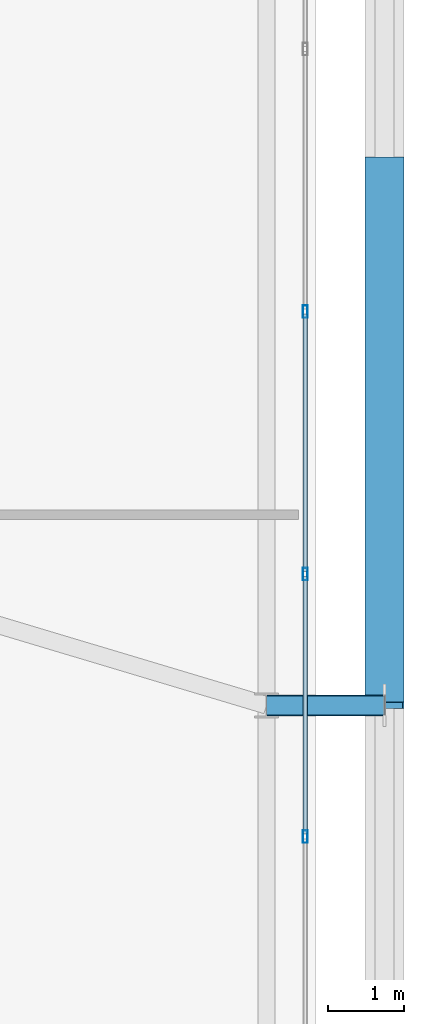
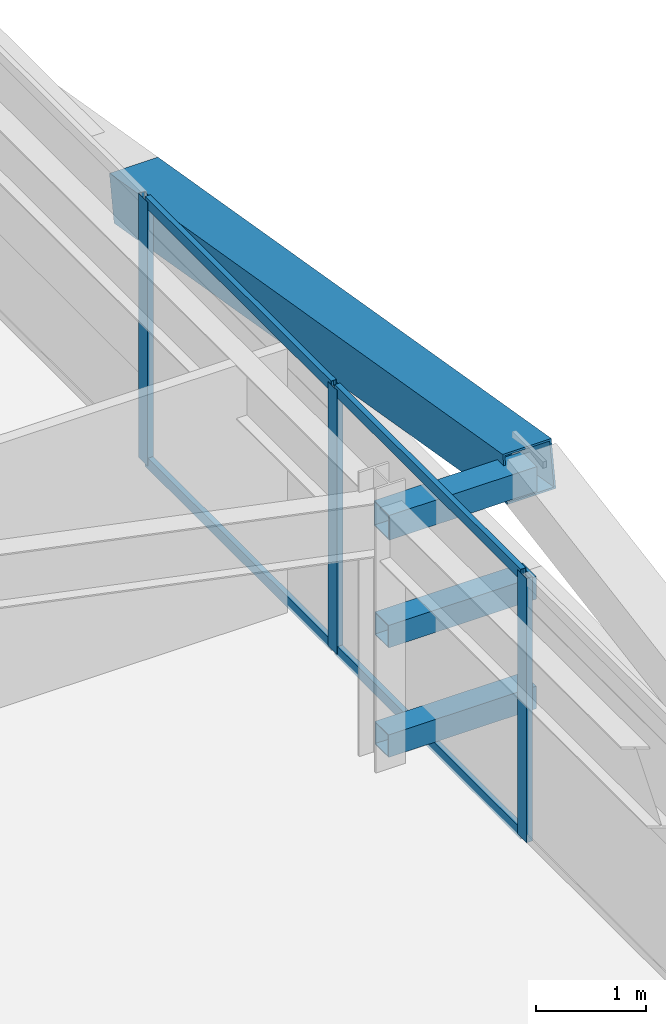
# One storey, part 30 of 58: 11 members, 1 element without a shape of its own.
"""IFC4 building model written with IfcOpenShell, lengths in metres."""

from ifc_helpers import new_model, si_unit, direction, frame, origin, origin_2d, place, context, subcontext, project, spatial, hollow_rectangle, extrude, source, transform, mapped, material, layer, layer_set, material_profile, profile_set, type_object, element, aggregate, save


model = new_model("IFC4")

# Units and contexts
model_context = context("Model", 3, precision=1e-05, world=origin(), true_north=direction((0.0, 1.0)))
body_context = subcontext(model_context, "Body", "Model", "MODEL_VIEW")
ifc_project = project(units=[si_unit("LENGTHUNIT", "METRE"), si_unit("AREAUNIT", "SQUARE_METRE"), si_unit("VOLUMEUNIT", "CUBIC_METRE"), si_unit("PLANEANGLEUNIT", "RADIAN"), si_unit("MASSUNIT", "GRAM", prefix="KILO")], contexts=[model_context])

# Site, building, storey
site_placement = place(None, origin())
site = spatial("IfcSite", under=ifc_project, at=site_placement, CompositionType="ELEMENT")
building_placement = place(site_placement, origin())
building = spatial("IfcBuilding", under=site, at=building_placement, Name="Taldren Reach Tower", CompositionType="ELEMENT")
storey_placement = place(building_placement, frame((0.0, 0.0, 35.699951171875)))
storey = spatial("IfcBuildingStorey", under=building, at=storey_placement, Name="L10", CompositionType="ELEMENT", Elevation=35.699951171875)

# Members
ifc_material_1 = material(Name="Steel Gr 450 (C450L0)", Category="steel")
ifc_material_profile_1 = material_profile(ifc_material_1, hollow_rectangle(XDim=0.27490234375, YDim=0.27490234375, WallThickness=0.00927734375, at=origin_2d()), Name="275x275x9.3SHS")
ifc_profile_set_1 = profile_set([ifc_material_profile_1], Name="Steel Gr 450 (C450L0)")
member_type_1 = type_object("IfcMemberType", Name="MB-TIE273", PredefinedType="STRUT", material=ifc_profile_set_1)
shared_shape_1 = source(origin(), body_context, "Body", "SweptSolid", [
    extrude(hollow_rectangle(XDim=0.27490234375, YDim=0.27490234375, WallThickness=0.00927734375, at=origin_2d()), origin(), (0.0, 0.0, 1.0), 1.5498046875),
])
member_1_placement = place(storey_placement, frame((64.35009765625, 20.0, 2.650146484375), z_axis=(1.0, 0.0, 0.0), x_axis=(0.0, 1.0, 0.0)))
element("IfcMember", 1, at=member_1_placement, inside=storey, type_object=member_type_1, Name="Exoskeleton diaphragm tie strut B1-E2 L10", PredefinedType="STRUT", context=body_context, shape_type="MappedRepresentation", body=[
    mapped(shared_shape_1, transform((0.0, 0.0, 0.0), scale=1.0)),
])
ifc_material_2 = material(Name="Steel Gr 350 (C350L0)", Category="steel")
ifc_material_profile_2 = material_profile(ifc_material_2, hollow_rectangle(XDim=0.25, YDim=0.25, WallThickness=0.010009765625, at=origin_2d()), Name="250x250x10.0SHS")
ifc_profile_set_2 = profile_set([ifc_material_profile_2], Name="Steel Gr 350 (C350L0)")
member_type_2 = type_object("IfcMemberType", Name="MB-POST250", PredefinedType="POST", material=ifc_profile_set_2)
shared_shape_2 = source(origin(), body_context, "Body", "SweptSolid", [
    extrude(hollow_rectangle(XDim=0.25, YDim=0.25, WallThickness=0.010009765625, at=origin_2d()), origin(), (0.0, 0.0, 1.0), 1.5498046875),
])
for number, where, z_axis, x_axis, name in (
    (2, (64.35009765625, 20.0, 0.219970703125), (1.0, 0.0, 0.0), (0.0, 1.0, 0.0), "Exoskeleton base diaphragm tie strut B1-E2 L10"),
    (3, (64.35009765625, 20.0, 1.43505859375), (1.0, 0.0, 0.0), (0.0, 1.0, 0.0), "Exoskeleton mid-tier diaphragm tie B1-E2 L10"),
):
    element("IfcMember", number, at=place(storey_placement, frame(where, z_axis=z_axis, x_axis=x_axis)), inside=storey, type_object=member_type_2, Name=name, PredefinedType="POST", context=body_context, shape_type="MappedRepresentation", body=[
        mapped(shared_shape_2, transform((0.0, 0.0, 0.0), scale=1.0)),
    ])
ifc_material_profile_3 = material_profile(ifc_material_1, hollow_rectangle(XDim=0.510009765625, YDim=0.510009765625, WallThickness=0.02001953125, at=origin_2d()), Name="510x510x20.0SHS")
ifc_profile_set_3 = profile_set([ifc_material_profile_3], Name="Steel Gr 450 (C450L0)")
member_type_3 = type_object("IfcMemberType", Name="MB-EXO508", PredefinedType="BRACE", material=ifc_profile_set_3)
shared_shape_3 = source(origin(), body_context, "Body", "SweptSolid", [
    extrude(hollow_rectangle(XDim=0.510009765625, YDim=0.510009765625, WallThickness=0.02001953125, at=origin_2d()), origin(), (0.0, 0.0, 1.0), 7.25244140625),
])
member_2_placement = place(storey_placement, frame((65.89990234375, 27.14990234375, 1.43505859375), z_axis=(0.0, -0.985864855729, 0.167542490848), x_axis=(1.0, 0.0, 0.0)))
element("IfcMember", 4, at=member_2_placement, inside=storey, type_object=member_type_3, Name="Exoskeleton Diagrid Brace B1-E2 L10", PredefinedType="BRACE", context=body_context, shape_type="MappedRepresentation", body=[
    mapped(shared_shape_3, transform((0.0, 0.0, 0.0), scale=1.0)),
])

# Curtain wall, members
ifc_material_3 = material(Name="Aluminium and Low-E Glass Unitised System", Category="aluminium")
ifc_layer = layer(ifc_material_3, 0.159912109375)
ifc_layer_set = layer_set([ifc_layer], Name="Aluminium and Low-E Glass Unitised System")
curtain_wall_type = type_object("IfcCurtainWallType", Name="CW-SYS-2", PredefinedType="NOTDEFINED", material=ifc_layer_set)
curtain_wall_placement = place(storey_placement, origin())
curtain_wall = element("IfcCurtainWall", 5, at=curtain_wall_placement, inside=storey, type_object=curtain_wall_type, Name="Unitised curtain wall CW-L10-E", PredefinedType="NOTDEFINED")
ifc_material_4 = material(Name="Anodised Aluminium 6063-T6", Category="aluminium")
ifc_material_profile_4 = material_profile(ifc_material_4, hollow_rectangle(XDim=0.06494140625, YDim=0.1650390625, WallThickness=0.00390625, at=origin_2d()), Name="ALU-165x65x4RHS")
ifc_profile_set_4 = profile_set([ifc_material_profile_4], Name="Anodised Aluminium 6063-T6")
member_type_4 = type_object("IfcMemberType", Name="CW-MUL-165", PredefinedType="MULLION", material=ifc_profile_set_4)
shared_shape_4 = source(origin(), body_context, "Body", "SweptSolid", [
    extrude(hollow_rectangle(XDim=0.06494140625, YDim=0.1650390625, WallThickness=0.00390625, at=origin_2d()), origin(), (0.0, 0.0, 1.0), 2.929931640625),
])
member_3_placement = place(storey_placement, frame((64.860107421875, 18.27783203125, 0.0), z_axis=(0.0, 0.0, 1.0), x_axis=(-1.0, 0.0, 0.0)))
member_3 = element("IfcMember", 6, at=member_3_placement, type_object=member_type_4, Name="CW-2 mullion 5", PredefinedType="MULLION", context=body_context, shape_type="MappedRepresentation", body=[
    mapped(shared_shape_4, transform((0.0, 0.0, 0.0), scale=1.0)),
])
member_4_placement = place(storey_placement, frame((64.860107421875, 21.72216796875, 0.0), z_axis=(0.0, 0.0, 1.0), x_axis=(-1.0, 0.0, 0.0)))
member_4 = element("IfcMember", 7, at=member_4_placement, type_object=member_type_4, Name="CW-2 mullion 6", PredefinedType="MULLION", context=body_context, shape_type="MappedRepresentation", body=[
    mapped(shared_shape_4, transform((0.0, 0.0, 0.0), scale=1.0)),
])
member_5_placement = place(storey_placement, frame((64.860107421875, 25.166748046875, 0.0), z_axis=(0.0, 0.0, 1.0), x_axis=(-1.0, 0.0, 0.0)))
member_5 = element("IfcMember", 8, at=member_5_placement, type_object=member_type_4, Name="CW-2 mullion 7", PredefinedType="MULLION", context=body_context, shape_type="MappedRepresentation", body=[
    mapped(shared_shape_4, transform((0.0, 0.0, 0.0), scale=1.0)),
])
ifc_material_profile_5 = material_profile(ifc_material_4, hollow_rectangle(XDim=0.054931640625, YDim=0.1201171875, WallThickness=0.0029296875, at=origin_2d()), Name="ALU-120x55x3RHS")
ifc_profile_set_5 = profile_set([ifc_material_profile_5], Name="Anodised Aluminium 6063-T6")
member_type_5 = type_object("IfcMemberType", Name="CW-TRN-135", PredefinedType="USERDEFINED", material=ifc_profile_set_5)
shared_shape_5 = source(origin(), body_context, "Body", "SweptSolid", [
    extrude(hollow_rectangle(XDim=0.054931640625, YDim=0.1201171875, WallThickness=0.0029296875, at=origin_2d()), origin(), (0.0, 0.0, 1.0), 3.37939453125),
])
member_6_placement = place(storey_placement, frame((64.860107421875, 18.310302734375, 0.027587890625), z_axis=(0.0, 1.0, 0.0), x_axis=(-1.0, 0.0, 0.0)))
member_6 = element("IfcMember", 9, at=member_6_placement, type_object=member_type_5, Name="CW-2 transom 5.1", ObjectType="TRANSOM", PredefinedType="USERDEFINED", context=body_context, shape_type="MappedRepresentation", body=[
    mapped(shared_shape_5, transform((0.0, 0.0, 0.0), scale=1.0)),
])
member_7_placement = place(storey_placement, frame((64.860107421875, 18.310302734375, 2.902587890625), z_axis=(0.0, 1.0, 0.0), x_axis=(-1.0, 0.0, 0.0)))
member_7 = element("IfcMember", 10, at=member_7_placement, type_object=member_type_5, Name="CW-2 transom 5.2", ObjectType="TRANSOM", PredefinedType="USERDEFINED", context=body_context, shape_type="MappedRepresentation", body=[
    mapped(shared_shape_5, transform((0.0, 0.0, 0.0), scale=1.0)),
])
shared_shape_6 = source(origin(), body_context, "Body", "SweptSolid", [
    extrude(hollow_rectangle(XDim=0.054931640625, YDim=0.1201171875, WallThickness=0.0029296875, at=origin_2d()), origin(), (0.0, 0.0, 1.0), 3.379638671875),
])
member_8_placement = place(storey_placement, frame((64.860107421875, 21.754638671875, 0.027587890625), z_axis=(0.0, 1.0, 0.0), x_axis=(-1.0, 0.0, 0.0)))
member_8 = element("IfcMember", 11, at=member_8_placement, type_object=member_type_5, Name="CW-2 transom 6.1", ObjectType="TRANSOM", PredefinedType="USERDEFINED", context=body_context, shape_type="MappedRepresentation", body=[
    mapped(shared_shape_6, transform((0.0, 0.0, 0.0), scale=1.0)),
])
member_9_placement = place(storey_placement, frame((64.860107421875, 21.754638671875, 2.902587890625), z_axis=(0.0, 1.0, 0.0), x_axis=(-1.0, 0.0, 0.0)))
member_9 = element("IfcMember", 12, at=member_9_placement, type_object=member_type_5, Name="CW-2 transom 6.2", ObjectType="TRANSOM", PredefinedType="USERDEFINED", context=body_context, shape_type="MappedRepresentation", body=[
    mapped(shared_shape_6, transform((0.0, 0.0, 0.0), scale=1.0)),
])
aggregate(curtain_wall, [member_3, member_4, member_5, member_6, member_7, member_8, member_9])

save(model, "model.ifc")
